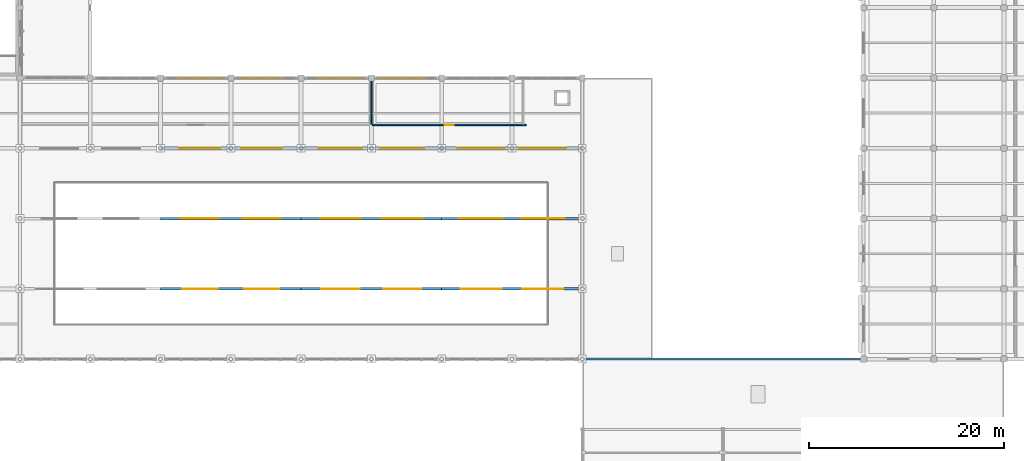
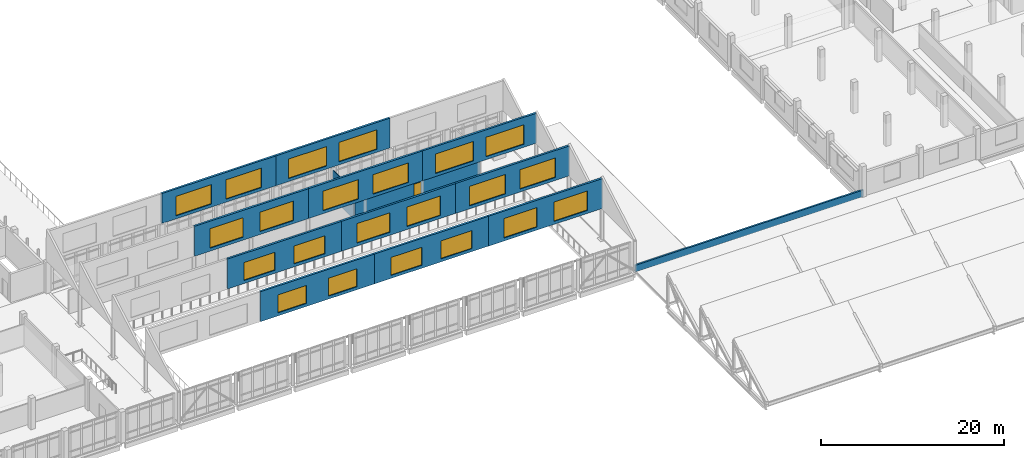
# One storey, part 42 of 62: 22 windows, 14 walls, 1 door, 23 openings.
"""IFC4 building model written with IfcOpenShell, lengths in metres."""

from ifc_helpers import new_model, si_unit, direction, frame, frame_2d, origin, place, context, subcontext, project, spatial, rectangle, extrude, material, layer, layer_set, type_object, element, fill, save


model = new_model("IFC4")

# Units and contexts
model_context = context("Model", 3, precision=1e-05, world=origin(), true_north=direction((0.0, 1.0)))
body_context = subcontext(model_context, "Body", "Model", "MODEL_VIEW")
ifc_project = project(units=[si_unit("LENGTHUNIT", "METRE"), si_unit("AREAUNIT", "SQUARE_METRE"), si_unit("VOLUMEUNIT", "CUBIC_METRE"), si_unit("PLANEANGLEUNIT", "RADIAN"), si_unit("MASSUNIT", "GRAM", prefix="KILO")], contexts=[model_context])

# Site, building, storey
site_placement = place(None, origin())
site = spatial("IfcSite", under=ifc_project, at=site_placement, CompositionType="ELEMENT")
building_placement = place(site_placement, origin())
building = spatial("IfcBuilding", under=site, at=building_placement, Name="Valkovuoma Quantum and Materials Research Institute", CompositionType="ELEMENT")
storey_placement = place(building_placement, frame((0.0, 0.0, 13.1201171875)))
storey = spatial("IfcBuildingStorey", under=building, at=storey_placement, Name="L03", CompositionType="ELEMENT", Elevation=13.1201171875)

# Wall, openings, windows
ifc_material_1 = material(Name="Precast concrete C40/50", Category="concrete")
ifc_layer_1 = layer(ifc_material_1, 0.260009765625)
ifc_layer_set_1 = layer_set([ifc_layer_1], Name="Precast concrete C40/50")
wall_type_1 = type_object("IfcWallType", Name="Wall-W-GAB260", PredefinedType="SOLIDWALL", material=ifc_layer_set_1)
wall_1_placement = place(storey_placement, frame((57.60009765625, 43.199951171875, 4.159912109375), z_axis=(0.0, 0.0, 1.0), x_axis=(1.0, 0.0, 0.0)))
wall_1 = element("IfcWall", 1, at=wall_1_placement, inside=storey, type_object=wall_type_1, Name="L03 exterior wall 0401", PredefinedType="SOLIDWALL", context=body_context, shape_type="SweptSolid", body=[
    extrude(rectangle(XDim=14.39990234375, YDim=0.260009765625, at=frame_2d((7.199951171875, 0.0))), origin(), (0.0, 0.0, 1.0), 3.989990234375),
])
opening_1_placement = place(wall_1_placement, frame((2.23193359375, 0.0, 0.39990234375)))
opening_1 = element("IfcOpeningElement", 2, at=opening_1_placement, cuts=wall_1, Name="Opening SKY-04", PredefinedType="OPENING", context=body_context, shape_type="SweptSolid", body=[
    extrude(rectangle(XDim=3.60009765625, YDim=2.39990234375, at=frame_2d((1.800048828125, 1.199951171875))), frame((0.0, 0.14013671875, 0.0), z_axis=(0.0, -1.0, 0.0), x_axis=(1.0, 0.0, 0.0)), (0.0, 0.0, 1.0), 0.280029296875),
])
opening_2_placement = place(wall_1_placement, frame((8.568115234375, 0.0, 0.39990234375)))
opening_2 = element("IfcOpeningElement", 3, at=opening_2_placement, cuts=wall_1, Name="Opening SKY-04", PredefinedType="OPENING", context=body_context, shape_type="SweptSolid", body=[
    extrude(rectangle(XDim=3.60009765625, YDim=2.39990234375, at=frame_2d((1.800048828125, 1.199951171875))), frame((0.0, 0.14013671875, 0.0), z_axis=(0.0, -1.0, 0.0), x_axis=(1.0, 0.0, 0.0)), (0.0, 0.0, 1.0), 0.280029296875),
])
ifc_material_2 = material(Name="Triple low-E laminated safety glass skylight", Category="glass")
window_type_1 = type_object("IfcWindowType", Name="Win-SKY-04", PartitioningType="SINGLE_PANEL", PredefinedType="SKYLIGHT", material=ifc_material_2)
window_1_placement = place(opening_1_placement, origin())
window_1 = element("IfcWindow", 4, at=window_1_placement, inside=storey, type_object=window_type_1, Name="L03 window 0399", OverallHeight=2.39990234375, OverallWidth=3.60009765625, PartitioningType="SINGLE_PANEL", PredefinedType="SKYLIGHT", context=body_context, shape_type="SweptSolid", body=[
    extrude(rectangle(XDim=3.60009765625, YDim=2.39990234375, at=frame_2d((1.800048828125, 1.199951171875))), frame((0.0, 0.030029296875, 0.0), z_axis=(0.0, -1.0, 0.0), x_axis=(1.0, 0.0, 0.0)), (0.0, 0.0, 1.0), 0.06005859375),
])
fill(opening_1, window_1)
window_2_placement = place(opening_2_placement, origin())
window_2 = element("IfcWindow", 5, at=window_2_placement, inside=storey, type_object=window_type_1, Name="L03 window 0400", OverallHeight=2.39990234375, OverallWidth=3.60009765625, PartitioningType="SINGLE_PANEL", PredefinedType="SKYLIGHT", context=body_context, shape_type="SweptSolid", body=[
    extrude(rectangle(XDim=3.60009765625, YDim=2.39990234375, at=frame_2d((1.800048828125, 1.199951171875))), frame((0.0, 0.030029296875, 0.0), z_axis=(0.0, -1.0, 0.0), x_axis=(1.0, 0.0, 0.0)), (0.0, 0.0, 1.0), 0.06005859375),
])
fill(opening_2, window_2)

wall_2_placement = place(storey_placement, frame((72.0, 43.199951171875, 4.159912109375), z_axis=(0.0, 0.0, 1.0), x_axis=(1.0, 0.0, 0.0)))
wall_2 = element("IfcWall", 6, at=wall_2_placement, inside=storey, type_object=wall_type_1, Name="L03 exterior wall 0402", PredefinedType="SOLIDWALL", context=body_context, shape_type="SweptSolid", body=[
    extrude(rectangle(XDim=14.39990234375, YDim=0.260009765625, at=frame_2d((7.199951171875, 0.0))), origin(), (0.0, 0.0, 1.0), 3.989990234375),
])
opening_3_placement = place(wall_2_placement, frame((2.08203125, 0.0, 0.39990234375)))
opening_3 = element("IfcOpeningElement", 7, at=opening_3_placement, cuts=wall_2, Name="Opening SKY-05", PredefinedType="OPENING", context=body_context, shape_type="SweptSolid", body=[
    extrude(rectangle(XDim=3.89990234375, YDim=2.39990234375, at=frame_2d((1.949951171875, 1.199951171875))), frame((0.0, 0.14013671875, 0.0), z_axis=(0.0, -1.0, 0.0), x_axis=(1.0, 0.0, 0.0)), (0.0, 0.0, 1.0), 0.280029296875),
])
opening_4_placement = place(wall_2_placement, frame((8.41796875, 0.0, 0.39990234375)))
opening_4 = element("IfcOpeningElement", 8, at=opening_4_placement, cuts=wall_2, Name="Opening SKY-05", PredefinedType="OPENING", context=body_context, shape_type="SweptSolid", body=[
    extrude(rectangle(XDim=3.89990234375, YDim=2.39990234375, at=frame_2d((1.949951171875, 1.199951171875))), frame((0.0, 0.14013671875, 0.0), z_axis=(0.0, -1.0, 0.0), x_axis=(1.0, 0.0, 0.0)), (0.0, 0.0, 1.0), 0.280029296875),
])
ifc_material_3 = material(Name="Triple low-E laminated safety glass skylight", Category="glass")
window_type_2 = type_object("IfcWindowType", Name="Win-SKY-05", PartitioningType="SINGLE_PANEL", PredefinedType="SKYLIGHT", material=ifc_material_3)
window_3_placement = place(opening_3_placement, origin())
window_3 = element("IfcWindow", 9, at=window_3_placement, inside=storey, type_object=window_type_2, Name="L03 window 0401", OverallHeight=2.39990234375, OverallWidth=3.89990234375, PartitioningType="SINGLE_PANEL", PredefinedType="SKYLIGHT", context=body_context, shape_type="SweptSolid", body=[
    extrude(rectangle(XDim=3.89990234375, YDim=2.39990234375, at=frame_2d((1.949951171875, 1.199951171875))), frame((0.0, 0.030029296875, 0.0), z_axis=(0.0, -1.0, 0.0), x_axis=(1.0, 0.0, 0.0)), (0.0, 0.0, 1.0), 0.06005859375),
])
fill(opening_3, window_3)
window_4_placement = place(opening_4_placement, origin())
window_4 = element("IfcWindow", 10, at=window_4_placement, inside=storey, type_object=window_type_2, Name="L03 window 0402", OverallHeight=2.39990234375, OverallWidth=3.89990234375, PartitioningType="SINGLE_PANEL", PredefinedType="SKYLIGHT", context=body_context, shape_type="SweptSolid", body=[
    extrude(rectangle(XDim=3.89990234375, YDim=2.39990234375, at=frame_2d((1.949951171875, 1.199951171875))), frame((0.0, 0.030029296875, 0.0), z_axis=(0.0, -1.0, 0.0), x_axis=(1.0, 0.0, 0.0)), (0.0, 0.0, 1.0), 0.06005859375),
])
fill(opening_4, window_4)

wall_3_placement = place(storey_placement, frame((86.39990234375, 43.199951171875, 4.159912109375), z_axis=(0.0, 0.0, 1.0), x_axis=(1.0, 0.0, 0.0)))
wall_3 = element("IfcWall", 11, at=wall_3_placement, inside=storey, type_object=wall_type_1, Name="L03 exterior wall 0403", PredefinedType="SOLIDWALL", context=body_context, shape_type="SweptSolid", body=[
    extrude(rectangle(XDim=14.400146484375, YDim=0.260009765625, at=frame_2d((7.2001953125, 0.0))), origin(), (0.0, 0.0, 1.0), 3.989990234375),
])
opening_5_placement = place(wall_3_placement, frame((1.931884765625, 0.0, 0.39990234375)))
opening_5 = element("IfcOpeningElement", 12, at=opening_5_placement, cuts=wall_3, Name="Opening SKY-01", PredefinedType="OPENING", context=body_context, shape_type="SweptSolid", body=[
    extrude(rectangle(XDim=4.199951171875, YDim=2.60009765625, at=frame_2d((2.10009765625, 1.300048828125))), frame((0.0, 0.14013671875, 0.0), z_axis=(0.0, -1.0, 0.0), x_axis=(1.0, 0.0, 0.0)), (0.0, 0.0, 1.0), 0.280029296875),
])
opening_6_placement = place(wall_3_placement, frame((8.26806640625, 0.0, 0.39990234375)))
opening_6 = element("IfcOpeningElement", 13, at=opening_6_placement, cuts=wall_3, Name="Opening SKY-01", PredefinedType="OPENING", context=body_context, shape_type="SweptSolid", body=[
    extrude(rectangle(XDim=4.199951171875, YDim=2.60009765625, at=frame_2d((2.10009765625, 1.300048828125))), frame((0.0, 0.14013671875, 0.0), z_axis=(0.0, -1.0, 0.0), x_axis=(1.0, 0.0, 0.0)), (0.0, 0.0, 1.0), 0.280029296875),
])
ifc_material_4 = material(Name="Triple low-E laminated safety glass skylight", Category="glass")
window_type_3 = type_object("IfcWindowType", Name="Win-SKY-01", PartitioningType="SINGLE_PANEL", PredefinedType="SKYLIGHT", material=ifc_material_4)
window_5_placement = place(opening_5_placement, origin())
window_5 = element("IfcWindow", 14, at=window_5_placement, inside=storey, type_object=window_type_3, Name="L03 window 0403", OverallHeight=2.60009765625, OverallWidth=4.199951171875, PartitioningType="SINGLE_PANEL", PredefinedType="SKYLIGHT", context=body_context, shape_type="SweptSolid", body=[
    extrude(rectangle(XDim=4.199951171875, YDim=2.60009765625, at=frame_2d((2.10009765625, 1.300048828125))), frame((0.0, 0.030029296875, 0.0), z_axis=(0.0, -1.0, 0.0), x_axis=(1.0, 0.0, 0.0)), (0.0, 0.0, 1.0), 0.06005859375),
])
fill(opening_5, window_5)
window_6_placement = place(opening_6_placement, origin())
window_6 = element("IfcWindow", 15, at=window_6_placement, inside=storey, type_object=window_type_3, Name="L03 window 0404", OverallHeight=2.60009765625, OverallWidth=4.199951171875, PartitioningType="SINGLE_PANEL", PredefinedType="SKYLIGHT", context=body_context, shape_type="SweptSolid", body=[
    extrude(rectangle(XDim=4.199951171875, YDim=2.60009765625, at=frame_2d((2.10009765625, 1.300048828125))), frame((0.0, 0.030029296875, 0.0), z_axis=(0.0, -1.0, 0.0), x_axis=(1.0, 0.0, 0.0)), (0.0, 0.0, 1.0), 0.06005859375),
])
fill(opening_6, window_6)

wall_4_placement = place(storey_placement, frame((57.60009765625, 50.39990234375, 4.159912109375), z_axis=(0.0, 0.0, 1.0), x_axis=(1.0, 0.0, 0.0)))
wall_4 = element("IfcWall", 16, at=wall_4_placement, inside=storey, type_object=wall_type_1, Name="L03 exterior wall 0407", PredefinedType="SOLIDWALL", context=body_context, shape_type="SweptSolid", body=[
    extrude(rectangle(XDim=14.39990234375, YDim=0.260009765625, at=frame_2d((7.199951171875, 0.0))), origin(), (0.0, 0.0, 1.0), 3.989990234375),
])
opening_7_placement = place(wall_4_placement, frame((2.08203125, 0.0, 0.39990234375)))
opening_7 = element("IfcOpeningElement", 17, at=opening_7_placement, cuts=wall_4, Name="Opening SKY-05", PredefinedType="OPENING", context=body_context, shape_type="SweptSolid", body=[
    extrude(rectangle(XDim=3.89990234375, YDim=2.39990234375, at=frame_2d((1.949951171875, 1.199951171875))), frame((0.0, 0.14013671875, 0.0), z_axis=(0.0, -1.0, 0.0), x_axis=(1.0, 0.0, 0.0)), (0.0, 0.0, 1.0), 0.280029296875),
])
opening_8_placement = place(wall_4_placement, frame((8.41796875, 0.0, 0.39990234375)))
opening_8 = element("IfcOpeningElement", 18, at=opening_8_placement, cuts=wall_4, Name="Opening SKY-05", PredefinedType="OPENING", context=body_context, shape_type="SweptSolid", body=[
    extrude(rectangle(XDim=3.89990234375, YDim=2.39990234375, at=frame_2d((1.949951171875, 1.199951171875))), frame((0.0, 0.14013671875, 0.0), z_axis=(0.0, -1.0, 0.0), x_axis=(1.0, 0.0, 0.0)), (0.0, 0.0, 1.0), 0.280029296875),
])
window_7_placement = place(opening_7_placement, origin())
window_7 = element("IfcWindow", 19, at=window_7_placement, inside=storey, type_object=window_type_2, Name="L03 window 0407", OverallHeight=2.39990234375, OverallWidth=3.89990234375, PartitioningType="SINGLE_PANEL", PredefinedType="SKYLIGHT", context=body_context, shape_type="SweptSolid", body=[
    extrude(rectangle(XDim=3.89990234375, YDim=2.39990234375, at=frame_2d((1.949951171875, 1.199951171875))), frame((0.0, 0.030029296875, 0.0), z_axis=(0.0, -1.0, 0.0), x_axis=(1.0, 0.0, 0.0)), (0.0, 0.0, 1.0), 0.06005859375),
])
fill(opening_7, window_7)
window_8_placement = place(opening_8_placement, origin())
window_8 = element("IfcWindow", 20, at=window_8_placement, inside=storey, type_object=window_type_2, Name="L03 window 0408", OverallHeight=2.39990234375, OverallWidth=3.89990234375, PartitioningType="SINGLE_PANEL", PredefinedType="SKYLIGHT", context=body_context, shape_type="SweptSolid", body=[
    extrude(rectangle(XDim=3.89990234375, YDim=2.39990234375, at=frame_2d((1.949951171875, 1.199951171875))), frame((0.0, 0.030029296875, 0.0), z_axis=(0.0, -1.0, 0.0), x_axis=(1.0, 0.0, 0.0)), (0.0, 0.0, 1.0), 0.06005859375),
])
fill(opening_8, window_8)

wall_5_placement = place(storey_placement, frame((72.0, 50.39990234375, 4.159912109375), z_axis=(0.0, 0.0, 1.0), x_axis=(1.0, 0.0, 0.0)))
wall_5 = element("IfcWall", 21, at=wall_5_placement, inside=storey, type_object=wall_type_1, Name="L03 exterior wall 0408", PredefinedType="SOLIDWALL", context=body_context, shape_type="SweptSolid", body=[
    extrude(rectangle(XDim=14.39990234375, YDim=0.260009765625, at=frame_2d((7.199951171875, 0.0))), origin(), (0.0, 0.0, 1.0), 3.989990234375),
])
opening_9_placement = place(wall_5_placement, frame((1.931884765625, 0.0, 0.39990234375)))
opening_9 = element("IfcOpeningElement", 22, at=opening_9_placement, cuts=wall_5, Name="Opening SKY-01", PredefinedType="OPENING", context=body_context, shape_type="SweptSolid", body=[
    extrude(rectangle(XDim=4.199951171875, YDim=2.60009765625, at=frame_2d((2.10009765625, 1.300048828125))), frame((0.0, 0.14013671875, 0.0), z_axis=(0.0, -1.0, 0.0), x_axis=(1.0, 0.0, 0.0)), (0.0, 0.0, 1.0), 0.280029296875),
])
opening_10_placement = place(wall_5_placement, frame((8.26806640625, 0.0, 0.39990234375)))
opening_10 = element("IfcOpeningElement", 23, at=opening_10_placement, cuts=wall_5, Name="Opening SKY-01", PredefinedType="OPENING", context=body_context, shape_type="SweptSolid", body=[
    extrude(rectangle(XDim=4.199951171875, YDim=2.60009765625, at=frame_2d((2.10009765625, 1.300048828125))), frame((0.0, 0.14013671875, 0.0), z_axis=(0.0, -1.0, 0.0), x_axis=(1.0, 0.0, 0.0)), (0.0, 0.0, 1.0), 0.280029296875),
])
window_9_placement = place(opening_9_placement, origin())
window_9 = element("IfcWindow", 24, at=window_9_placement, inside=storey, type_object=window_type_3, Name="L03 window 0409", OverallHeight=2.60009765625, OverallWidth=4.199951171875, PartitioningType="SINGLE_PANEL", PredefinedType="SKYLIGHT", context=body_context, shape_type="SweptSolid", body=[
    extrude(rectangle(XDim=4.199951171875, YDim=2.60009765625, at=frame_2d((2.10009765625, 1.300048828125))), frame((0.0, 0.030029296875, 0.0), z_axis=(0.0, -1.0, 0.0), x_axis=(1.0, 0.0, 0.0)), (0.0, 0.0, 1.0), 0.06005859375),
])
fill(opening_9, window_9)
window_10_placement = place(opening_10_placement, origin())
window_10 = element("IfcWindow", 25, at=window_10_placement, inside=storey, type_object=window_type_3, Name="L03 window 0410", OverallHeight=2.60009765625, OverallWidth=4.199951171875, PartitioningType="SINGLE_PANEL", PredefinedType="SKYLIGHT", context=body_context, shape_type="SweptSolid", body=[
    extrude(rectangle(XDim=4.199951171875, YDim=2.60009765625, at=frame_2d((2.10009765625, 1.300048828125))), frame((0.0, 0.030029296875, 0.0), z_axis=(0.0, -1.0, 0.0), x_axis=(1.0, 0.0, 0.0)), (0.0, 0.0, 1.0), 0.06005859375),
])
fill(opening_10, window_10)

wall_6_placement = place(storey_placement, frame((86.39990234375, 50.39990234375, 4.159912109375), z_axis=(0.0, 0.0, 1.0), x_axis=(1.0, 0.0, 0.0)))
wall_6 = element("IfcWall", 26, at=wall_6_placement, inside=storey, type_object=wall_type_1, Name="L03 exterior wall 0409", PredefinedType="SOLIDWALL", context=body_context, shape_type="SweptSolid", body=[
    extrude(rectangle(XDim=14.400146484375, YDim=0.260009765625, at=frame_2d((7.2001953125, 0.0))), origin(), (0.0, 0.0, 1.0), 3.989990234375),
])
opening_11_placement = place(wall_6_placement, frame((1.781982421875, 0.0, 0.39990234375)))
opening_11 = element("IfcOpeningElement", 27, at=opening_11_placement, cuts=wall_6, Name="Opening SKY-02", PredefinedType="OPENING", context=body_context, shape_type="SweptSolid", body=[
    extrude(rectangle(XDim=4.5, YDim=2.60009765625, at=frame_2d((2.25, 1.300048828125))), frame((0.0, 0.14013671875, 0.0), z_axis=(0.0, -1.0, 0.0), x_axis=(1.0, 0.0, 0.0)), (0.0, 0.0, 1.0), 0.280029296875),
])
opening_12_placement = place(wall_6_placement, frame((8.117919921875, 0.0, 0.39990234375)))
opening_12 = element("IfcOpeningElement", 28, at=opening_12_placement, cuts=wall_6, Name="Opening SKY-02", PredefinedType="OPENING", context=body_context, shape_type="SweptSolid", body=[
    extrude(rectangle(XDim=4.5, YDim=2.60009765625, at=frame_2d((2.25, 1.300048828125))), frame((0.0, 0.14013671875, 0.0), z_axis=(0.0, -1.0, 0.0), x_axis=(1.0, 0.0, 0.0)), (0.0, 0.0, 1.0), 0.280029296875),
])
ifc_material_5 = material(Name="Triple low-E laminated safety glass skylight", Category="glass")
window_type_4 = type_object("IfcWindowType", Name="Win-SKY-02", PartitioningType="SINGLE_PANEL", PredefinedType="SKYLIGHT", material=ifc_material_5)
window_11_placement = place(opening_11_placement, origin())
window_11 = element("IfcWindow", 29, at=window_11_placement, inside=storey, type_object=window_type_4, Name="L03 window 0411", OverallHeight=2.60009765625, OverallWidth=4.5, PartitioningType="SINGLE_PANEL", PredefinedType="SKYLIGHT", context=body_context, shape_type="SweptSolid", body=[
    extrude(rectangle(XDim=4.5, YDim=2.60009765625, at=frame_2d((2.25, 1.300048828125))), frame((0.0, 0.030029296875, 0.0), z_axis=(0.0, -1.0, 0.0), x_axis=(1.0, 0.0, 0.0)), (0.0, 0.0, 1.0), 0.06005859375),
])
fill(opening_11, window_11)
window_12_placement = place(opening_12_placement, origin())
window_12 = element("IfcWindow", 30, at=window_12_placement, inside=storey, type_object=window_type_4, Name="L03 window 0412", OverallHeight=2.60009765625, OverallWidth=4.5, PartitioningType="SINGLE_PANEL", PredefinedType="SKYLIGHT", context=body_context, shape_type="SweptSolid", body=[
    extrude(rectangle(XDim=4.5, YDim=2.60009765625, at=frame_2d((2.25, 1.300048828125))), frame((0.0, 0.030029296875, 0.0), z_axis=(0.0, -1.0, 0.0), x_axis=(1.0, 0.0, 0.0)), (0.0, 0.0, 1.0), 0.06005859375),
])
fill(opening_12, window_12)

wall_7_placement = place(storey_placement, frame((57.60009765625, 57.60009765625, 4.159912109375), z_axis=(0.0, 0.0, 1.0), x_axis=(1.0, 0.0, 0.0)))
wall_7 = element("IfcWall", 31, at=wall_7_placement, inside=storey, type_object=wall_type_1, Name="L03 exterior wall 0413", PredefinedType="SOLIDWALL", context=body_context, shape_type="SweptSolid", body=[
    extrude(rectangle(XDim=14.39990234375, YDim=0.260009765625, at=frame_2d((7.199951171875, 0.0))), origin(), (0.0, 0.0, 1.0), 3.989990234375),
])
opening_13_placement = place(wall_7_placement, frame((1.931884765625, 0.0, 0.39990234375)))
opening_13 = element("IfcOpeningElement", 32, at=opening_13_placement, cuts=wall_7, Name="Opening SKY-01", PredefinedType="OPENING", context=body_context, shape_type="SweptSolid", body=[
    extrude(rectangle(XDim=4.199951171875, YDim=2.60009765625, at=frame_2d((2.10009765625, 1.300048828125))), frame((0.0, 0.14013671875, 0.0), z_axis=(0.0, -1.0, 0.0), x_axis=(1.0, 0.0, 0.0)), (0.0, 0.0, 1.0), 0.280029296875),
])
opening_14_placement = place(wall_7_placement, frame((8.26806640625, 0.0, 0.39990234375)))
opening_14 = element("IfcOpeningElement", 33, at=opening_14_placement, cuts=wall_7, Name="Opening SKY-01", PredefinedType="OPENING", context=body_context, shape_type="SweptSolid", body=[
    extrude(rectangle(XDim=4.199951171875, YDim=2.60009765625, at=frame_2d((2.10009765625, 1.300048828125))), frame((0.0, 0.14013671875, 0.0), z_axis=(0.0, -1.0, 0.0), x_axis=(1.0, 0.0, 0.0)), (0.0, 0.0, 1.0), 0.280029296875),
])
window_13_placement = place(opening_13_placement, origin())
window_13 = element("IfcWindow", 34, at=window_13_placement, inside=storey, type_object=window_type_3, Name="L03 window 0415", OverallHeight=2.60009765625, OverallWidth=4.199951171875, PartitioningType="SINGLE_PANEL", PredefinedType="SKYLIGHT", context=body_context, shape_type="SweptSolid", body=[
    extrude(rectangle(XDim=4.199951171875, YDim=2.60009765625, at=frame_2d((2.10009765625, 1.300048828125))), frame((0.0, 0.030029296875, 0.0), z_axis=(0.0, -1.0, 0.0), x_axis=(1.0, 0.0, 0.0)), (0.0, 0.0, 1.0), 0.06005859375),
])
fill(opening_13, window_13)
window_14_placement = place(opening_14_placement, origin())
window_14 = element("IfcWindow", 35, at=window_14_placement, inside=storey, type_object=window_type_3, Name="L03 window 0416", OverallHeight=2.60009765625, OverallWidth=4.199951171875, PartitioningType="SINGLE_PANEL", PredefinedType="SKYLIGHT", context=body_context, shape_type="SweptSolid", body=[
    extrude(rectangle(XDim=4.199951171875, YDim=2.60009765625, at=frame_2d((2.10009765625, 1.300048828125))), frame((0.0, 0.030029296875, 0.0), z_axis=(0.0, -1.0, 0.0), x_axis=(1.0, 0.0, 0.0)), (0.0, 0.0, 1.0), 0.06005859375),
])
fill(opening_14, window_14)

wall_8_placement = place(storey_placement, frame((72.0, 57.60009765625, 4.159912109375), z_axis=(0.0, 0.0, 1.0), x_axis=(1.0, 0.0, 0.0)))
wall_8 = element("IfcWall", 36, at=wall_8_placement, inside=storey, type_object=wall_type_1, Name="L03 exterior wall 0414", PredefinedType="SOLIDWALL", context=body_context, shape_type="SweptSolid", body=[
    extrude(rectangle(XDim=14.39990234375, YDim=0.260009765625, at=frame_2d((7.199951171875, 0.0))), origin(), (0.0, 0.0, 1.0), 3.989990234375),
])
opening_15_placement = place(wall_8_placement, frame((1.781982421875, 0.0, 0.39990234375)))
opening_15 = element("IfcOpeningElement", 37, at=opening_15_placement, cuts=wall_8, Name="Opening SKY-02", PredefinedType="OPENING", context=body_context, shape_type="SweptSolid", body=[
    extrude(rectangle(XDim=4.5, YDim=2.60009765625, at=frame_2d((2.25, 1.300048828125))), frame((0.0, 0.14013671875, 0.0), z_axis=(0.0, -1.0, 0.0), x_axis=(1.0, 0.0, 0.0)), (0.0, 0.0, 1.0), 0.280029296875),
])
opening_16_placement = place(wall_8_placement, frame((8.117919921875, 0.0, 0.39990234375)))
opening_16 = element("IfcOpeningElement", 38, at=opening_16_placement, cuts=wall_8, Name="Opening SKY-02", PredefinedType="OPENING", context=body_context, shape_type="SweptSolid", body=[
    extrude(rectangle(XDim=4.5, YDim=2.60009765625, at=frame_2d((2.25, 1.300048828125))), frame((0.0, 0.14013671875, 0.0), z_axis=(0.0, -1.0, 0.0), x_axis=(1.0, 0.0, 0.0)), (0.0, 0.0, 1.0), 0.280029296875),
])
window_15_placement = place(opening_15_placement, origin())
window_15 = element("IfcWindow", 39, at=window_15_placement, inside=storey, type_object=window_type_4, Name="L03 window 0417", OverallHeight=2.60009765625, OverallWidth=4.5, PartitioningType="SINGLE_PANEL", PredefinedType="SKYLIGHT", context=body_context, shape_type="SweptSolid", body=[
    extrude(rectangle(XDim=4.5, YDim=2.60009765625, at=frame_2d((2.25, 1.300048828125))), frame((0.0, 0.030029296875, 0.0), z_axis=(0.0, -1.0, 0.0), x_axis=(1.0, 0.0, 0.0)), (0.0, 0.0, 1.0), 0.06005859375),
])
fill(opening_15, window_15)
window_16_placement = place(opening_16_placement, origin())
window_16 = element("IfcWindow", 40, at=window_16_placement, inside=storey, type_object=window_type_4, Name="L03 window 0418", OverallHeight=2.60009765625, OverallWidth=4.5, PartitioningType="SINGLE_PANEL", PredefinedType="SKYLIGHT", context=body_context, shape_type="SweptSolid", body=[
    extrude(rectangle(XDim=4.5, YDim=2.60009765625, at=frame_2d((2.25, 1.300048828125))), frame((0.0, 0.030029296875, 0.0), z_axis=(0.0, -1.0, 0.0), x_axis=(1.0, 0.0, 0.0)), (0.0, 0.0, 1.0), 0.06005859375),
])
fill(opening_16, window_16)

wall_9_placement = place(storey_placement, frame((86.39990234375, 57.60009765625, 4.159912109375), z_axis=(0.0, 0.0, 1.0), x_axis=(1.0, 0.0, 0.0)))
wall_9 = element("IfcWall", 41, at=wall_9_placement, inside=storey, type_object=wall_type_1, Name="L03 exterior wall 0415", PredefinedType="SOLIDWALL", context=body_context, shape_type="SweptSolid", body=[
    extrude(rectangle(XDim=14.400146484375, YDim=0.260009765625, at=frame_2d((7.2001953125, 0.0))), origin(), (0.0, 0.0, 1.0), 3.989990234375),
])
opening_17_placement = place(wall_9_placement, frame((1.632080078125, 0.0, 0.39990234375)))
opening_17 = element("IfcOpeningElement", 42, at=opening_17_placement, cuts=wall_9, Name="Opening SKY-03", PredefinedType="OPENING", context=body_context, shape_type="SweptSolid", body=[
    extrude(rectangle(XDim=4.800048828125, YDim=2.60009765625, at=frame_2d((2.39990234375, 1.300048828125))), frame((0.0, 0.14013671875, 0.0), z_axis=(0.0, -1.0, 0.0), x_axis=(1.0, 0.0, 0.0)), (0.0, 0.0, 1.0), 0.280029296875),
])
opening_18_placement = place(wall_9_placement, frame((7.968017578125, 0.0, 0.39990234375)))
opening_18 = element("IfcOpeningElement", 43, at=opening_18_placement, cuts=wall_9, Name="Opening SKY-03", PredefinedType="OPENING", context=body_context, shape_type="SweptSolid", body=[
    extrude(rectangle(XDim=4.800048828125, YDim=2.60009765625, at=frame_2d((2.39990234375, 1.300048828125))), frame((0.0, 0.14013671875, 0.0), z_axis=(0.0, -1.0, 0.0), x_axis=(1.0, 0.0, 0.0)), (0.0, 0.0, 1.0), 0.280029296875),
])
ifc_material_6 = material(Name="Triple low-E laminated safety glass skylight", Category="glass")
window_type_5 = type_object("IfcWindowType", Name="Win-SKY-03", PartitioningType="SINGLE_PANEL", PredefinedType="SKYLIGHT", material=ifc_material_6)
window_17_placement = place(opening_17_placement, origin())
window_17 = element("IfcWindow", 44, at=window_17_placement, inside=storey, type_object=window_type_5, Name="L03 window 0419", OverallHeight=2.60009765625, OverallWidth=4.800048828125, PartitioningType="SINGLE_PANEL", PredefinedType="SKYLIGHT", context=body_context, shape_type="SweptSolid", body=[
    extrude(rectangle(XDim=4.800048828125, YDim=2.60009765625, at=frame_2d((2.39990234375, 1.300048828125))), frame((0.0, 0.030029296875, 0.0), z_axis=(0.0, -1.0, 0.0), x_axis=(1.0, 0.0, 0.0)), (0.0, 0.0, 1.0), 0.06005859375),
])
fill(opening_17, window_17)
window_18_placement = place(opening_18_placement, origin())
window_18 = element("IfcWindow", 45, at=window_18_placement, inside=storey, type_object=window_type_5, Name="L03 window 0420", OverallHeight=2.60009765625, OverallWidth=4.800048828125, PartitioningType="SINGLE_PANEL", PredefinedType="SKYLIGHT", context=body_context, shape_type="SweptSolid", body=[
    extrude(rectangle(XDim=4.800048828125, YDim=2.60009765625, at=frame_2d((2.39990234375, 1.300048828125))), frame((0.0, 0.030029296875, 0.0), z_axis=(0.0, -1.0, 0.0), x_axis=(1.0, 0.0, 0.0)), (0.0, 0.0, 1.0), 0.06005859375),
])
fill(opening_18, window_18)

wall_10_placement = place(storey_placement, frame((57.60009765625, 64.800048828125, 4.159912109375), z_axis=(0.0, 0.0, 1.0), x_axis=(1.0, 0.0, 0.0)))
wall_10 = element("IfcWall", 46, at=wall_10_placement, inside=storey, type_object=wall_type_1, Name="L03 exterior wall 0419", PredefinedType="SOLIDWALL", context=body_context, shape_type="SweptSolid", body=[
    extrude(rectangle(XDim=14.39990234375, YDim=0.260009765625, at=frame_2d((7.199951171875, 0.0))), origin(), (0.0, 0.0, 1.0), 3.989990234375),
])
opening_19_placement = place(wall_10_placement, frame((1.781982421875, 0.0, 0.39990234375)))
opening_19 = element("IfcOpeningElement", 47, at=opening_19_placement, cuts=wall_10, Name="Opening SKY-02", PredefinedType="OPENING", context=body_context, shape_type="SweptSolid", body=[
    extrude(rectangle(XDim=4.5, YDim=2.60009765625, at=frame_2d((2.25, 1.300048828125))), frame((0.0, 0.14013671875, 0.0), z_axis=(0.0, -1.0, 0.0), x_axis=(1.0, 0.0, 0.0)), (0.0, 0.0, 1.0), 0.280029296875),
])
opening_20_placement = place(wall_10_placement, frame((8.117919921875, 0.0, 0.39990234375)))
opening_20 = element("IfcOpeningElement", 48, at=opening_20_placement, cuts=wall_10, Name="Opening SKY-02", PredefinedType="OPENING", context=body_context, shape_type="SweptSolid", body=[
    extrude(rectangle(XDim=4.5, YDim=2.60009765625, at=frame_2d((2.25, 1.300048828125))), frame((0.0, 0.14013671875, 0.0), z_axis=(0.0, -1.0, 0.0), x_axis=(1.0, 0.0, 0.0)), (0.0, 0.0, 1.0), 0.280029296875),
])
window_19_placement = place(opening_19_placement, origin())
window_19 = element("IfcWindow", 49, at=window_19_placement, inside=storey, type_object=window_type_4, Name="L03 window 0423", OverallHeight=2.60009765625, OverallWidth=4.5, PartitioningType="SINGLE_PANEL", PredefinedType="SKYLIGHT", context=body_context, shape_type="SweptSolid", body=[
    extrude(rectangle(XDim=4.5, YDim=2.60009765625, at=frame_2d((2.25, 1.300048828125))), frame((0.0, 0.030029296875, 0.0), z_axis=(0.0, -1.0, 0.0), x_axis=(1.0, 0.0, 0.0)), (0.0, 0.0, 1.0), 0.06005859375),
])
fill(opening_19, window_19)
window_20_placement = place(opening_20_placement, origin())
window_20 = element("IfcWindow", 50, at=window_20_placement, inside=storey, type_object=window_type_4, Name="L03 window 0424", OverallHeight=2.60009765625, OverallWidth=4.5, PartitioningType="SINGLE_PANEL", PredefinedType="SKYLIGHT", context=body_context, shape_type="SweptSolid", body=[
    extrude(rectangle(XDim=4.5, YDim=2.60009765625, at=frame_2d((2.25, 1.300048828125))), frame((0.0, 0.030029296875, 0.0), z_axis=(0.0, -1.0, 0.0), x_axis=(1.0, 0.0, 0.0)), (0.0, 0.0, 1.0), 0.06005859375),
])
fill(opening_20, window_20)

wall_11_placement = place(storey_placement, frame((72.0, 64.800048828125, 4.159912109375), z_axis=(0.0, 0.0, 1.0), x_axis=(1.0, 0.0, 0.0)))
wall_11 = element("IfcWall", 51, at=wall_11_placement, inside=storey, type_object=wall_type_1, Name="L03 exterior wall 0420", PredefinedType="SOLIDWALL", context=body_context, shape_type="SweptSolid", body=[
    extrude(rectangle(XDim=14.39990234375, YDim=0.260009765625, at=frame_2d((7.199951171875, 0.0))), origin(), (0.0, 0.0, 1.0), 3.989990234375),
])
opening_21_placement = place(wall_11_placement, frame((1.632080078125, 0.0, 0.39990234375)))
opening_21 = element("IfcOpeningElement", 52, at=opening_21_placement, cuts=wall_11, Name="Opening SKY-03", PredefinedType="OPENING", context=body_context, shape_type="SweptSolid", body=[
    extrude(rectangle(XDim=4.800048828125, YDim=2.60009765625, at=frame_2d((2.39990234375, 1.300048828125))), frame((0.0, 0.14013671875, 0.0), z_axis=(0.0, -1.0, 0.0), x_axis=(1.0, 0.0, 0.0)), (0.0, 0.0, 1.0), 0.280029296875),
])
opening_22_placement = place(wall_11_placement, frame((7.968017578125, 0.0, 0.39990234375)))
opening_22 = element("IfcOpeningElement", 53, at=opening_22_placement, cuts=wall_11, Name="Opening SKY-03", PredefinedType="OPENING", context=body_context, shape_type="SweptSolid", body=[
    extrude(rectangle(XDim=4.800048828125, YDim=2.60009765625, at=frame_2d((2.39990234375, 1.300048828125))), frame((0.0, 0.14013671875, 0.0), z_axis=(0.0, -1.0, 0.0), x_axis=(1.0, 0.0, 0.0)), (0.0, 0.0, 1.0), 0.280029296875),
])
window_21_placement = place(opening_21_placement, origin())
window_21 = element("IfcWindow", 54, at=window_21_placement, inside=storey, type_object=window_type_5, Name="L03 window 0425", OverallHeight=2.60009765625, OverallWidth=4.800048828125, PartitioningType="SINGLE_PANEL", PredefinedType="SKYLIGHT", context=body_context, shape_type="SweptSolid", body=[
    extrude(rectangle(XDim=4.800048828125, YDim=2.60009765625, at=frame_2d((2.39990234375, 1.300048828125))), frame((0.0, 0.030029296875, 0.0), z_axis=(0.0, -1.0, 0.0), x_axis=(1.0, 0.0, 0.0)), (0.0, 0.0, 1.0), 0.06005859375),
])
fill(opening_21, window_21)
window_22_placement = place(opening_22_placement, origin())
window_22 = element("IfcWindow", 55, at=window_22_placement, inside=storey, type_object=window_type_5, Name="L03 window 0426", OverallHeight=2.60009765625, OverallWidth=4.800048828125, PartitioningType="SINGLE_PANEL", PredefinedType="SKYLIGHT", context=body_context, shape_type="SweptSolid", body=[
    extrude(rectangle(XDim=4.800048828125, YDim=2.60009765625, at=frame_2d((2.39990234375, 1.300048828125))), frame((0.0, 0.030029296875, 0.0), z_axis=(0.0, -1.0, 0.0), x_axis=(1.0, 0.0, 0.0)), (0.0, 0.0, 1.0), 0.06005859375),
])
fill(opening_22, window_22)

# Walls
ifc_material_7 = material(Name="Precast concrete C40/50", Category="concrete")
ifc_layer_2 = layer(ifc_material_7, 0.219970703125)
ifc_layer_set_2 = layer_set([ifc_layer_2], Name="Precast concrete C40/50")
wall_type_2 = type_object("IfcWallType", Name="Wall-W-PAR220", PredefinedType="PARAPET", material=ifc_layer_set_2)
wall_12_placement = place(storey_placement, frame((100.800048828125, 36.0, 0.0), z_axis=(0.0, 0.0, 1.0), x_axis=(1.0, 0.0, 0.0)))
element("IfcWall", 56, at=wall_12_placement, inside=storey, type_object=wall_type_2, Name="L03 exterior wall 0436", PredefinedType="PARAPET", context=body_context, shape_type="SweptSolid", body=[
    extrude(rectangle(XDim=28.800048828125, YDim=0.219970703125, at=frame_2d((14.39990234375, 0.0))), origin(), (0.0, 0.0, 1.0), 0.89990234375),
])
ifc_material_8 = material(Name="Interior office stud partition", Category="masonry")
ifc_layer_3 = layer(ifc_material_8, 0.135009765625)
ifc_layer_set_3 = layer_set([ifc_layer_3], Name="Interior office stud partition")
wall_type_3 = type_object("IfcWallType", Name="Wall-W-PRT135", PredefinedType="PARTITIONING", material=ifc_layer_set_3)
wall_13_placement = place(storey_placement, frame((79.199951171875, 60.0673828125, 0.0), z_axis=(0.0, 0.0, 1.0), x_axis=(0.0, 1.0, 0.0)))
element("IfcWall", 57, at=wall_13_placement, inside=storey, type_object=wall_type_3, Name="L03 partition 0160", PredefinedType="PARTITIONING", context=body_context, shape_type="SweptSolid", body=[
    extrude(rectangle(XDim=4.6025390625, YDim=0.135009765625, at=frame_2d((2.30126953125, 0.0))), origin(), (0.0, 0.0, 1.0), 3.809814453125),
])

# Wall, opening, door
ifc_material_9 = material(Name="Acoustic write-up studio partition", Category="masonry")
ifc_layer_4 = layer(ifc_material_9, 0.14990234375)
ifc_layer_set_4 = layer_set([ifc_layer_4], Name="Acoustic write-up studio partition")
wall_type_4 = type_object("IfcWallType", Name="Wall-W-PRT150", PredefinedType="PARTITIONING", material=ifc_layer_set_4)
wall_14_placement = place(storey_placement, frame((79.267578125, 60.0, 0.0), z_axis=(0.0, 0.0, 1.0), x_axis=(1.0, 0.0, 0.0)))
wall_14 = element("IfcWall", 58, at=wall_14_placement, inside=storey, type_object=wall_type_4, Name="L03 partition 0161", PredefinedType="PARTITIONING", context=body_context, shape_type="SweptSolid", body=[
    extrude(rectangle(XDim=15.807373046875, YDim=0.14990234375, at=frame_2d((7.90380859375, 0.0))), origin(), (0.0, 0.0, 1.0), 3.159912109375),
])
opening_23_placement = place(wall_14_placement, frame((7.443603515625, 0.0, 0.0)))
opening_23 = element("IfcOpeningElement", 59, at=opening_23_placement, cuts=wall_14, Name="Opening ID-0115", PredefinedType="OPENING", context=body_context, shape_type="SweptSolid", body=[
    extrude(rectangle(XDim=0.919921875, YDim=2.10009765625, at=frame_2d((0.4599609375, 1.050048828125))), frame((0.0, 0.0849609375, 0.0), z_axis=(0.0, -1.0, 0.0), x_axis=(1.0, 0.0, 0.0)), (0.0, 0.0, 1.0), 0.169921875),
])
ifc_material_10 = material(Name="Powder-coated steel and acoustic timber door assembly", Category="steel")
door_type = type_object("IfcDoorType", Name="Door-DR-OF01", OperationType="NOTDEFINED", PredefinedType="DOOR", material=ifc_material_10)
door_placement = place(opening_23_placement, origin())
door = element("IfcDoor", 60, at=door_placement, inside=storey, type_object=door_type, Name="L03 room door 0115", OperationType="SINGLE_SWING_RIGHT", OverallHeight=2.10009765625, OverallWidth=0.919921875, PredefinedType="DOOR", context=body_context, shape_type="SweptSolid", body=[
    extrude(rectangle(XDim=0.919921875, YDim=2.10009765625, at=frame_2d((0.4599609375, 1.050048828125))), frame((0.0, 0.02490234375, 0.0), z_axis=(0.0, -1.0, 0.0), x_axis=(1.0, 0.0, 0.0)), (0.0, 0.0, 1.0), 0.050048828125),
])
fill(opening_23, door)

save(model, "model.ifc")
